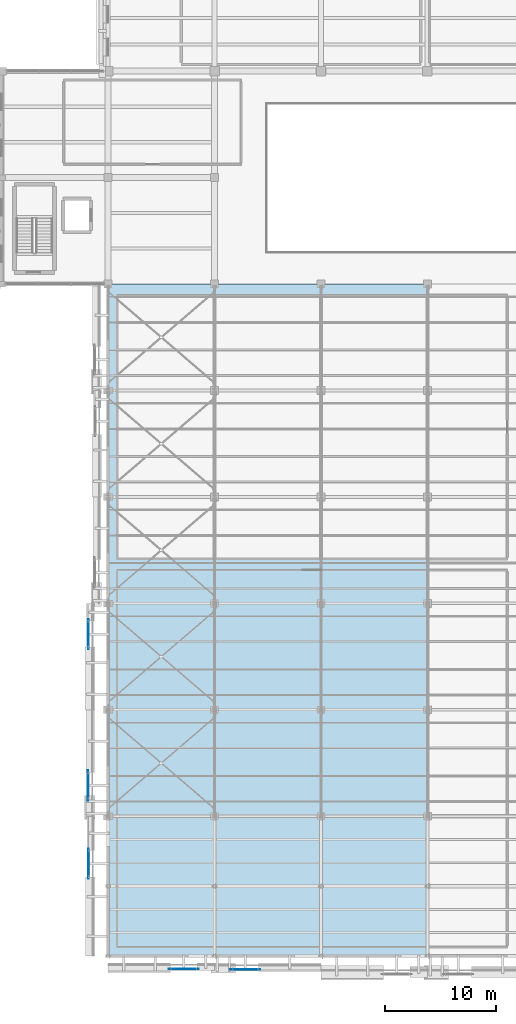
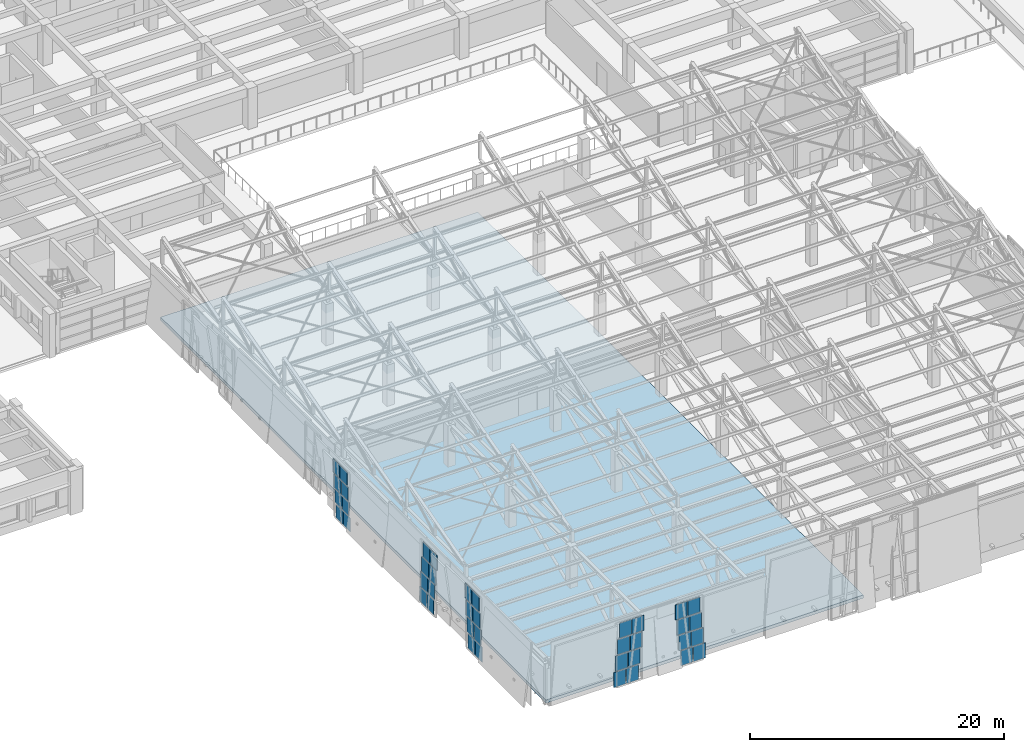
# One storey, part 33 of 71: 40 plates, 1 slab, 5 elements without a shape of their own.
"""IFC4 building model written with IfcOpenShell, lengths in metres."""

from ifc_helpers import new_model, si_unit, direction, frame, origin, origin_2d, place, context, subcontext, project, spatial, polyline, rectangle, outline, extrude, material, layer, layer_set, type_object, element, aggregate, save


model = new_model("IFC4")

# Units and contexts
model_context = context("Model", 3, precision=1e-05, world=origin(), true_north=direction((0.0, 1.0)))
body_context = subcontext(model_context, "Body", "Model", "MODEL_VIEW")
ifc_project = project(units=[si_unit("LENGTHUNIT", "METRE"), si_unit("AREAUNIT", "SQUARE_METRE"), si_unit("VOLUMEUNIT", "CUBIC_METRE"), si_unit("PLANEANGLEUNIT", "RADIAN"), si_unit("MASSUNIT", "GRAM", prefix="KILO")], contexts=[model_context])

# Site, building, storey
site_placement = place(None, origin())
site = spatial("IfcSite", under=ifc_project, at=site_placement, CompositionType="ELEMENT")
building_placement = place(site_placement, origin())
building = spatial("IfcBuilding", under=site, at=building_placement, Name="Bempovik Park Faculty of Sciences", CompositionType="ELEMENT")
storey_placement = place(building_placement, frame((0.0, 0.0, 14.10009765625)))
storey = spatial("IfcBuildingStorey", under=building, at=storey_placement, Name="L03", CompositionType="ELEMENT", Elevation=14.10009765625)

# Curtain wall, plates
ifc_material_1 = material(Name="Tempered laminated low-E glass", Category="glass")
ifc_layer_1 = layer(ifc_material_1, 0.159912109375)
ifc_layer_set_1 = layer_set([ifc_layer_1], Name="Tempered laminated low-E glass")
curtain_wall_type = type_object("IfcCurtainWallType", Name="CW-33 Curtain 2400x4000", PredefinedType="USERDEFINED", material=ifc_layer_set_1)
curtain_wall_1_placement = place(storey_placement, origin())
curtain_wall_1 = element("IfcCurtainWall", 1, at=curtain_wall_1_placement, inside=storey, type_object=curtain_wall_type, Name="L03 Crystal Slantwise Light Fold (7.2,60.0)", ObjectType="UNITISED CURTAIN WALL", PredefinedType="USERDEFINED")
ifc_layer_2 = layer(ifc_material_1, 0.035888671875)
ifc_layer_set_2 = layer_set([ifc_layer_2], Name="Tempered laminated low-E glass")
plate_type = type_object("IfcPlateType", Name="CP-22 Curtain Panel 36mm", PredefinedType="CURTAIN_PANEL", material=ifc_layer_set_2)
plate_1_placement = place(storey_placement, frame((65.9951171875, 6.01953125, 0.0), z_axis=(0.0, 0.0, 1.0), x_axis=(1.0, 0.0, 0.0)))
plate_1 = element("IfcPlate", 2, at=plate_1_placement, type_object=plate_type, Name="CW-FOLD-L03-72-600 Panel 0-0", PredefinedType="CURTAIN_PANEL", context=body_context, shape_type="SweptSolid", body=[
    extrude(rectangle(XDim=1.070068359375, YDim=0.035888671875, at=origin_2d()), origin(), (0.0, 0.0, 1.0), 1.4423828125),
])
plate_2_placement = place(storey_placement, frame((66.1650390625, 6.01953125, 1.5224609375), z_axis=(0.0, 0.0, 1.0), x_axis=(1.0, 0.0, 0.0)))
plate_2 = element("IfcPlate", 3, at=plate_2_placement, type_object=plate_type, Name="CW-FOLD-L03-72-600 Panel 0-1", PredefinedType="CURTAIN_PANEL", context=body_context, shape_type="SweptSolid", body=[
    extrude(rectangle(XDim=1.070068359375, YDim=0.035888671875, at=origin_2d()), origin(), (0.0, 0.0, 1.0), 1.4423828125),
])
plate_3_placement = place(storey_placement, frame((66.3349609375, 6.01953125, 3.044921875), z_axis=(0.0, 0.0, 1.0), x_axis=(1.0, 0.0, 0.0)))
plate_3 = element("IfcPlate", 4, at=plate_3_placement, type_object=plate_type, Name="CW-FOLD-L03-72-600 Panel 0-2", PredefinedType="CURTAIN_PANEL", context=body_context, shape_type="SweptSolid", body=[
    extrude(rectangle(XDim=1.070068359375, YDim=0.035888671875, at=origin_2d()), origin(), (0.0, 0.0, 1.0), 1.4423828125),
])
plate_4_placement = place(storey_placement, frame((66.5048828125, 6.01953125, 4.5673828125), z_axis=(0.0, 0.0, 1.0), x_axis=(1.0, 0.0, 0.0)))
plate_4 = element("IfcPlate", 5, at=plate_4_placement, type_object=plate_type, Name="CW-FOLD-L03-72-600 Panel 0-3", PredefinedType="CURTAIN_PANEL", context=body_context, shape_type="SweptSolid", body=[
    extrude(rectangle(XDim=1.070068359375, YDim=0.035888671875, at=origin_2d()), origin(), (0.0, 0.0, 1.0), 1.4423828125),
])
plate_5_placement = place(storey_placement, frame((67.14501953125, 6.01953125, 0.0), z_axis=(0.0, 0.0, 1.0), x_axis=(1.0, 0.0, 0.0)))
plate_5 = element("IfcPlate", 6, at=plate_5_placement, type_object=plate_type, Name="CW-FOLD-L03-72-600 Panel 1-0", PredefinedType="CURTAIN_PANEL", context=body_context, shape_type="SweptSolid", body=[
    extrude(rectangle(XDim=1.070068359375, YDim=0.035888671875, at=origin_2d()), origin(), (0.0, 0.0, 1.0), 1.4423828125),
])
plate_6_placement = place(storey_placement, frame((67.31494140625, 6.01953125, 1.5224609375), z_axis=(0.0, 0.0, 1.0), x_axis=(1.0, 0.0, 0.0)))
plate_6 = element("IfcPlate", 7, at=plate_6_placement, type_object=plate_type, Name="CW-FOLD-L03-72-600 Panel 1-1", PredefinedType="CURTAIN_PANEL", context=body_context, shape_type="SweptSolid", body=[
    extrude(rectangle(XDim=1.070068359375, YDim=0.035888671875, at=origin_2d()), origin(), (0.0, 0.0, 1.0), 1.4423828125),
])
plate_7_placement = place(storey_placement, frame((67.485107421875, 6.01953125, 3.044921875), z_axis=(0.0, 0.0, 1.0), x_axis=(1.0, 0.0, 0.0)))
plate_7 = element("IfcPlate", 8, at=plate_7_placement, type_object=plate_type, Name="CW-FOLD-L03-72-600 Panel 1-2", PredefinedType="CURTAIN_PANEL", context=body_context, shape_type="SweptSolid", body=[
    extrude(rectangle(XDim=1.070068359375, YDim=0.035888671875, at=origin_2d()), origin(), (0.0, 0.0, 1.0), 1.4423828125),
])
plate_8_placement = place(storey_placement, frame((67.655029296875, 6.01953125, 4.5673828125), z_axis=(0.0, 0.0, 1.0), x_axis=(1.0, 0.0, 0.0)))
plate_8 = element("IfcPlate", 9, at=plate_8_placement, type_object=plate_type, Name="CW-FOLD-L03-72-600 Panel 1-3", PredefinedType="CURTAIN_PANEL", context=body_context, shape_type="SweptSolid", body=[
    extrude(rectangle(XDim=1.070068359375, YDim=0.035888671875, at=origin_2d()), origin(), (0.0, 0.0, 1.0), 1.4423828125),
])
aggregate(curtain_wall_1, [plate_1, plate_2, plate_3, plate_4, plate_5, plate_6, plate_7, plate_8])

curtain_wall_2_placement = place(storey_placement, origin())
curtain_wall_2 = element("IfcCurtainWall", 10, at=curtain_wall_2_placement, inside=storey, type_object=curtain_wall_type, Name="L03 Crystal Slantwise Light Fold (7.2,69.6)", ObjectType="UNITISED CURTAIN WALL", PredefinedType="USERDEFINED")
plate_9_placement = place(storey_placement, frame((72.054931640625, 5.977294921875, 0.0), z_axis=(0.0, 0.0, 1.0), x_axis=(1.0, 0.0, 0.0)))
plate_9 = element("IfcPlate", 11, at=plate_9_placement, type_object=plate_type, Name="CW-FOLD-L03-72-696 Panel 0-0", PredefinedType="CURTAIN_PANEL", context=body_context, shape_type="SweptSolid", body=[
    extrude(rectangle(XDim=1.070068359375, YDim=0.035888671875, at=origin_2d()), origin(), (0.0, 0.0, 1.0), 1.4423828125),
])
plate_10_placement = place(storey_placement, frame((71.885009765625, 5.977294921875, 1.5224609375), z_axis=(0.0, 0.0, 1.0), x_axis=(1.0, 0.0, 0.0)))
plate_10 = element("IfcPlate", 12, at=plate_10_placement, type_object=plate_type, Name="CW-FOLD-L03-72-696 Panel 0-1", PredefinedType="CURTAIN_PANEL", context=body_context, shape_type="SweptSolid", body=[
    extrude(rectangle(XDim=1.070068359375, YDim=0.035888671875, at=origin_2d()), origin(), (0.0, 0.0, 1.0), 1.4423828125),
])
plate_11_placement = place(storey_placement, frame((71.715087890625, 5.977294921875, 3.044921875), z_axis=(0.0, 0.0, 1.0), x_axis=(1.0, 0.0, 0.0)))
plate_11 = element("IfcPlate", 13, at=plate_11_placement, type_object=plate_type, Name="CW-FOLD-L03-72-696 Panel 0-2", PredefinedType="CURTAIN_PANEL", context=body_context, shape_type="SweptSolid", body=[
    extrude(rectangle(XDim=1.070068359375, YDim=0.035888671875, at=origin_2d()), origin(), (0.0, 0.0, 1.0), 1.4423828125),
])
plate_12_placement = place(storey_placement, frame((71.544921875, 5.977294921875, 4.5673828125), z_axis=(0.0, 0.0, 1.0), x_axis=(1.0, 0.0, 0.0)))
plate_12 = element("IfcPlate", 14, at=plate_12_placement, type_object=plate_type, Name="CW-FOLD-L03-72-696 Panel 0-3", PredefinedType="CURTAIN_PANEL", context=body_context, shape_type="SweptSolid", body=[
    extrude(rectangle(XDim=1.070068359375, YDim=0.035888671875, at=origin_2d()), origin(), (0.0, 0.0, 1.0), 1.4423828125),
])
plate_13_placement = place(storey_placement, frame((73.205078125, 5.977294921875, 0.0), z_axis=(0.0, 0.0, 1.0), x_axis=(1.0, 0.0, 0.0)))
plate_13 = element("IfcPlate", 15, at=plate_13_placement, type_object=plate_type, Name="CW-FOLD-L03-72-696 Panel 1-0", PredefinedType="CURTAIN_PANEL", context=body_context, shape_type="SweptSolid", body=[
    extrude(rectangle(XDim=1.070068359375, YDim=0.035888671875, at=origin_2d()), origin(), (0.0, 0.0, 1.0), 1.4423828125),
])
plate_14_placement = place(storey_placement, frame((73.034912109375, 5.977294921875, 1.5224609375), z_axis=(0.0, 0.0, 1.0), x_axis=(1.0, 0.0, 0.0)))
plate_14 = element("IfcPlate", 16, at=plate_14_placement, type_object=plate_type, Name="CW-FOLD-L03-72-696 Panel 1-1", PredefinedType="CURTAIN_PANEL", context=body_context, shape_type="SweptSolid", body=[
    extrude(rectangle(XDim=1.070068359375, YDim=0.035888671875, at=origin_2d()), origin(), (0.0, 0.0, 1.0), 1.4423828125),
])
plate_15_placement = place(storey_placement, frame((72.864990234375, 5.977294921875, 3.044921875), z_axis=(0.0, 0.0, 1.0), x_axis=(1.0, 0.0, 0.0)))
plate_15 = element("IfcPlate", 17, at=plate_15_placement, type_object=plate_type, Name="CW-FOLD-L03-72-696 Panel 1-2", PredefinedType="CURTAIN_PANEL", context=body_context, shape_type="SweptSolid", body=[
    extrude(rectangle(XDim=1.070068359375, YDim=0.035888671875, at=origin_2d()), origin(), (0.0, 0.0, 1.0), 1.4423828125),
])
plate_16_placement = place(storey_placement, frame((72.695068359375, 5.977294921875, 4.5673828125), z_axis=(0.0, 0.0, 1.0), x_axis=(1.0, 0.0, 0.0)))
plate_16 = element("IfcPlate", 18, at=plate_16_placement, type_object=plate_type, Name="CW-FOLD-L03-72-696 Panel 1-3", PredefinedType="CURTAIN_PANEL", context=body_context, shape_type="SweptSolid", body=[
    extrude(rectangle(XDim=1.070068359375, YDim=0.035888671875, at=origin_2d()), origin(), (0.0, 0.0, 1.0), 1.4423828125),
])
aggregate(curtain_wall_2, [plate_9, plate_10, plate_11, plate_12, plate_13, plate_14, plate_15, plate_16])

curtain_wall_3_placement = place(storey_placement, origin())
curtain_wall_3 = element("IfcCurtainWall", 19, at=curtain_wall_3_placement, inside=storey, type_object=curtain_wall_type, Name="L03 Crystal Slantwise Light Fold (60.0,7.2)", ObjectType="UNITISED CURTAIN WALL", PredefinedType="USERDEFINED")
plate_17_placement = place(storey_placement, frame((58.239501953125, 14.695068359375, 0.0), z_axis=(0.0, 0.0, 1.0), x_axis=(0.0, 1.0, 0.0)))
plate_17 = element("IfcPlate", 20, at=plate_17_placement, type_object=plate_type, Name="CW-FOLD-L03-600-72 Panel 0-0", PredefinedType="CURTAIN_PANEL", context=body_context, shape_type="SweptSolid", body=[
    extrude(rectangle(XDim=1.070068359375, YDim=0.035888671875, at=origin_2d()), origin(), (0.0, 0.0, 1.0), 1.4423828125),
])
plate_18_placement = place(storey_placement, frame((58.239501953125, 14.864990234375, 1.5224609375), z_axis=(0.0, 0.0, 1.0), x_axis=(0.0, 1.0, 0.0)))
plate_18 = element("IfcPlate", 21, at=plate_18_placement, type_object=plate_type, Name="CW-FOLD-L03-600-72 Panel 0-1", PredefinedType="CURTAIN_PANEL", context=body_context, shape_type="SweptSolid", body=[
    extrude(rectangle(XDim=1.070068359375, YDim=0.035888671875, at=origin_2d()), origin(), (0.0, 0.0, 1.0), 1.4423828125),
])
plate_19_placement = place(storey_placement, frame((58.239501953125, 15.034912109375, 3.044921875), z_axis=(0.0, 0.0, 1.0), x_axis=(0.0, 1.0, 0.0)))
plate_19 = element("IfcPlate", 22, at=plate_19_placement, type_object=plate_type, Name="CW-FOLD-L03-600-72 Panel 0-2", PredefinedType="CURTAIN_PANEL", context=body_context, shape_type="SweptSolid", body=[
    extrude(rectangle(XDim=1.070068359375, YDim=0.035888671875, at=origin_2d()), origin(), (0.0, 0.0, 1.0), 1.4423828125),
])
plate_20_placement = place(storey_placement, frame((58.239501953125, 15.205078125, 4.5673828125), z_axis=(0.0, 0.0, 1.0), x_axis=(0.0, 1.0, 0.0)))
plate_20 = element("IfcPlate", 23, at=plate_20_placement, type_object=plate_type, Name="CW-FOLD-L03-600-72 Panel 0-3", PredefinedType="CURTAIN_PANEL", context=body_context, shape_type="SweptSolid", body=[
    extrude(rectangle(XDim=1.070068359375, YDim=0.035888671875, at=origin_2d()), origin(), (0.0, 0.0, 1.0), 1.4423828125),
])
plate_21_placement = place(storey_placement, frame((58.239501953125, 15.844970703125, 0.0), z_axis=(0.0, 0.0, 1.0), x_axis=(0.0, 1.0, 0.0)))
plate_21 = element("IfcPlate", 24, at=plate_21_placement, type_object=plate_type, Name="CW-FOLD-L03-600-72 Panel 1-0", PredefinedType="CURTAIN_PANEL", context=body_context, shape_type="SweptSolid", body=[
    extrude(rectangle(XDim=1.070068359375, YDim=0.035888671875, at=origin_2d()), origin(), (0.0, 0.0, 1.0), 1.4423828125),
])
plate_22_placement = place(storey_placement, frame((58.239501953125, 16.014892578125, 1.5224609375), z_axis=(0.0, 0.0, 1.0), x_axis=(0.0, 1.0, 0.0)))
plate_22 = element("IfcPlate", 25, at=plate_22_placement, type_object=plate_type, Name="CW-FOLD-L03-600-72 Panel 1-1", PredefinedType="CURTAIN_PANEL", context=body_context, shape_type="SweptSolid", body=[
    extrude(rectangle(XDim=1.070068359375, YDim=0.035888671875, at=origin_2d()), origin(), (0.0, 0.0, 1.0), 1.4423828125),
])
plate_23_placement = place(storey_placement, frame((58.239501953125, 16.18505859375, 3.044921875), z_axis=(0.0, 0.0, 1.0), x_axis=(0.0, 1.0, 0.0)))
plate_23 = element("IfcPlate", 26, at=plate_23_placement, type_object=plate_type, Name="CW-FOLD-L03-600-72 Panel 1-2", PredefinedType="CURTAIN_PANEL", context=body_context, shape_type="SweptSolid", body=[
    extrude(rectangle(XDim=1.070068359375, YDim=0.035888671875, at=origin_2d()), origin(), (0.0, 0.0, 1.0), 1.4423828125),
])
plate_24_placement = place(storey_placement, frame((58.239501953125, 16.35498046875, 4.5673828125), z_axis=(0.0, 0.0, 1.0), x_axis=(0.0, 1.0, 0.0)))
plate_24 = element("IfcPlate", 27, at=plate_24_placement, type_object=plate_type, Name="CW-FOLD-L03-600-72 Panel 1-3", PredefinedType="CURTAIN_PANEL", context=body_context, shape_type="SweptSolid", body=[
    extrude(rectangle(XDim=1.070068359375, YDim=0.035888671875, at=origin_2d()), origin(), (0.0, 0.0, 1.0), 1.4423828125),
])
aggregate(curtain_wall_3, [plate_17, plate_18, plate_19, plate_20, plate_21, plate_22, plate_23, plate_24])

curtain_wall_4_placement = place(storey_placement, origin())
curtain_wall_4 = element("IfcCurtainWall", 28, at=curtain_wall_4_placement, inside=storey, type_object=curtain_wall_type, Name="L03 Crystal Slantwise Light Fold (60.0,19.8)", ObjectType="UNITISED CURTAIN WALL", PredefinedType="USERDEFINED")
plate_25_placement = place(storey_placement, frame((58.197265625, 22.2548828125, 0.0), z_axis=(0.0, 0.0, 1.0), x_axis=(0.0, 1.0, 0.0)))
plate_25 = element("IfcPlate", 29, at=plate_25_placement, type_object=plate_type, Name="CW-FOLD-L03-600-198 Panel 0-0", PredefinedType="CURTAIN_PANEL", context=body_context, shape_type="SweptSolid", body=[
    extrude(rectangle(XDim=1.070068359375, YDim=0.035888671875, at=origin_2d()), origin(), (0.0, 0.0, 1.0), 1.4423828125),
])
plate_26_placement = place(storey_placement, frame((58.197265625, 22.0849609375, 1.5224609375), z_axis=(0.0, 0.0, 1.0), x_axis=(0.0, 1.0, 0.0)))
plate_26 = element("IfcPlate", 30, at=plate_26_placement, type_object=plate_type, Name="CW-FOLD-L03-600-198 Panel 0-1", PredefinedType="CURTAIN_PANEL", context=body_context, shape_type="SweptSolid", body=[
    extrude(rectangle(XDim=1.070068359375, YDim=0.035888671875, at=origin_2d()), origin(), (0.0, 0.0, 1.0), 1.4423828125),
])
plate_27_placement = place(storey_placement, frame((58.197265625, 21.9150390625, 3.044921875), z_axis=(0.0, 0.0, 1.0), x_axis=(0.0, 1.0, 0.0)))
plate_27 = element("IfcPlate", 31, at=plate_27_placement, type_object=plate_type, Name="CW-FOLD-L03-600-198 Panel 0-2", PredefinedType="CURTAIN_PANEL", context=body_context, shape_type="SweptSolid", body=[
    extrude(rectangle(XDim=1.070068359375, YDim=0.035888671875, at=origin_2d()), origin(), (0.0, 0.0, 1.0), 1.4423828125),
])
plate_28_placement = place(storey_placement, frame((58.197265625, 21.7451171875, 4.5673828125), z_axis=(0.0, 0.0, 1.0), x_axis=(0.0, 1.0, 0.0)))
plate_28 = element("IfcPlate", 32, at=plate_28_placement, type_object=plate_type, Name="CW-FOLD-L03-600-198 Panel 0-3", PredefinedType="CURTAIN_PANEL", context=body_context, shape_type="SweptSolid", body=[
    extrude(rectangle(XDim=1.070068359375, YDim=0.035888671875, at=origin_2d()), origin(), (0.0, 0.0, 1.0), 1.4423828125),
])
plate_29_placement = place(storey_placement, frame((58.197265625, 23.405029296875, 0.0), z_axis=(0.0, 0.0, 1.0), x_axis=(0.0, 1.0, 0.0)))
plate_29 = element("IfcPlate", 33, at=plate_29_placement, type_object=plate_type, Name="CW-FOLD-L03-600-198 Panel 1-0", PredefinedType="CURTAIN_PANEL", context=body_context, shape_type="SweptSolid", body=[
    extrude(rectangle(XDim=1.070068359375, YDim=0.035888671875, at=origin_2d()), origin(), (0.0, 0.0, 1.0), 1.4423828125),
])
plate_30_placement = place(storey_placement, frame((58.197265625, 23.235107421875, 1.5224609375), z_axis=(0.0, 0.0, 1.0), x_axis=(0.0, 1.0, 0.0)))
plate_30 = element("IfcPlate", 34, at=plate_30_placement, type_object=plate_type, Name="CW-FOLD-L03-600-198 Panel 1-1", PredefinedType="CURTAIN_PANEL", context=body_context, shape_type="SweptSolid", body=[
    extrude(rectangle(XDim=1.070068359375, YDim=0.035888671875, at=origin_2d()), origin(), (0.0, 0.0, 1.0), 1.4423828125),
])
plate_31_placement = place(storey_placement, frame((58.197265625, 23.06494140625, 3.044921875), z_axis=(0.0, 0.0, 1.0), x_axis=(0.0, 1.0, 0.0)))
plate_31 = element("IfcPlate", 35, at=plate_31_placement, type_object=plate_type, Name="CW-FOLD-L03-600-198 Panel 1-2", PredefinedType="CURTAIN_PANEL", context=body_context, shape_type="SweptSolid", body=[
    extrude(rectangle(XDim=1.070068359375, YDim=0.035888671875, at=origin_2d()), origin(), (0.0, 0.0, 1.0), 1.4423828125),
])
plate_32_placement = place(storey_placement, frame((58.197265625, 22.89501953125, 4.5673828125), z_axis=(0.0, 0.0, 1.0), x_axis=(0.0, 1.0, 0.0)))
plate_32 = element("IfcPlate", 36, at=plate_32_placement, type_object=plate_type, Name="CW-FOLD-L03-600-198 Panel 1-3", PredefinedType="CURTAIN_PANEL", context=body_context, shape_type="SweptSolid", body=[
    extrude(rectangle(XDim=1.070068359375, YDim=0.035888671875, at=origin_2d()), origin(), (0.0, 0.0, 1.0), 1.4423828125),
])
aggregate(curtain_wall_4, [plate_25, plate_26, plate_27, plate_28, plate_29, plate_30, plate_31, plate_32])

curtain_wall_5_placement = place(storey_placement, origin())
curtain_wall_5 = element("IfcCurtainWall", 37, at=curtain_wall_5_placement, inside=storey, type_object=curtain_wall_type, Name="L03 Crystal Slantwise Light Fold (60.0,29.4)", ObjectType="UNITISED CURTAIN WALL", PredefinedType="USERDEFINED")
plate_33_placement = place(storey_placement, frame((58.218017578125, 35.39501953125, -0.000244140625), z_axis=(0.0, 0.0, 1.0), x_axis=(0.0, 1.0, 0.0)))
plate_33 = element("IfcPlate", 38, at=plate_33_placement, type_object=plate_type, Name="CW-FOLD-L03-600-294 Panel 0-0", PredefinedType="CURTAIN_PANEL", context=body_context, shape_type="SweptSolid", body=[
    extrude(rectangle(XDim=1.070068359375, YDim=0.035888671875, at=origin_2d()), origin(), (0.0, 0.0, 1.0), 1.29248046875),
])
plate_34_placement = place(storey_placement, frame((58.218017578125, 35.56494140625, 1.372314453125), z_axis=(0.0, 0.0, 1.0), x_axis=(0.0, 1.0, 0.0)))
plate_34 = element("IfcPlate", 39, at=plate_34_placement, type_object=plate_type, Name="CW-FOLD-L03-600-294 Panel 0-1", PredefinedType="CURTAIN_PANEL", context=body_context, shape_type="SweptSolid", body=[
    extrude(rectangle(XDim=1.070068359375, YDim=0.035888671875, at=origin_2d()), origin(), (0.0, 0.0, 1.0), 1.29248046875),
])
plate_35_placement = place(storey_placement, frame((58.218017578125, 35.735107421875, 2.744873046875), z_axis=(0.0, 0.0, 1.0), x_axis=(0.0, 1.0, 0.0)))
plate_35 = element("IfcPlate", 40, at=plate_35_placement, type_object=plate_type, Name="CW-FOLD-L03-600-294 Panel 0-2", PredefinedType="CURTAIN_PANEL", context=body_context, shape_type="SweptSolid", body=[
    extrude(rectangle(XDim=1.070068359375, YDim=0.035888671875, at=origin_2d()), origin(), (0.0, 0.0, 1.0), 1.29248046875),
])
plate_36_placement = place(storey_placement, frame((58.218017578125, 35.905029296875, 4.117431640625), z_axis=(0.0, 0.0, 1.0), x_axis=(0.0, 1.0, 0.0)))
plate_36 = element("IfcPlate", 41, at=plate_36_placement, type_object=plate_type, Name="CW-FOLD-L03-600-294 Panel 0-3", PredefinedType="CURTAIN_PANEL", context=body_context, shape_type="SweptSolid", body=[
    extrude(rectangle(XDim=1.070068359375, YDim=0.035888671875, at=origin_2d()), origin(), (0.0, 0.0, 1.0), 1.29248046875),
])
plate_37_placement = place(storey_placement, frame((58.218017578125, 36.544921875, -0.000244140625), z_axis=(0.0, 0.0, 1.0), x_axis=(0.0, 1.0, 0.0)))
plate_37 = element("IfcPlate", 42, at=plate_37_placement, type_object=plate_type, Name="CW-FOLD-L03-600-294 Panel 1-0", PredefinedType="CURTAIN_PANEL", context=body_context, shape_type="SweptSolid", body=[
    extrude(rectangle(XDim=1.070068359375, YDim=0.035888671875, at=origin_2d()), origin(), (0.0, 0.0, 1.0), 1.29248046875),
])
plate_38_placement = place(storey_placement, frame((58.218017578125, 36.715087890625, 1.372314453125), z_axis=(0.0, 0.0, 1.0), x_axis=(0.0, 1.0, 0.0)))
plate_38 = element("IfcPlate", 43, at=plate_38_placement, type_object=plate_type, Name="CW-FOLD-L03-600-294 Panel 1-1", PredefinedType="CURTAIN_PANEL", context=body_context, shape_type="SweptSolid", body=[
    extrude(rectangle(XDim=1.070068359375, YDim=0.035888671875, at=origin_2d()), origin(), (0.0, 0.0, 1.0), 1.29248046875),
])
plate_39_placement = place(storey_placement, frame((58.218017578125, 36.885009765625, 2.744873046875), z_axis=(0.0, 0.0, 1.0), x_axis=(0.0, 1.0, 0.0)))
plate_39 = element("IfcPlate", 44, at=plate_39_placement, type_object=plate_type, Name="CW-FOLD-L03-600-294 Panel 1-2", PredefinedType="CURTAIN_PANEL", context=body_context, shape_type="SweptSolid", body=[
    extrude(rectangle(XDim=1.070068359375, YDim=0.035888671875, at=origin_2d()), origin(), (0.0, 0.0, 1.0), 1.29248046875),
])
plate_40_placement = place(storey_placement, frame((58.218017578125, 37.054931640625, 4.117431640625), z_axis=(0.0, 0.0, 1.0), x_axis=(0.0, 1.0, 0.0)))
plate_40 = element("IfcPlate", 45, at=plate_40_placement, type_object=plate_type, Name="CW-FOLD-L03-600-294 Panel 1-3", PredefinedType="CURTAIN_PANEL", context=body_context, shape_type="SweptSolid", body=[
    extrude(rectangle(XDim=1.070068359375, YDim=0.035888671875, at=origin_2d()), origin(), (0.0, 0.0, 1.0), 1.29248046875),
])
aggregate(curtain_wall_5, [plate_33, plate_34, plate_35, plate_36, plate_37, plate_38, plate_39, plate_40])

# Slab
ifc_material_2 = material(Name="Concrete C40/50", Category="concrete")
ifc_layer_3 = layer(ifc_material_2, 0.320068359375)
ifc_layer_set_3 = layer_set([ifc_layer_3], Name="Concrete C40/50")
slab_type = type_object("IfcSlabType", Name="S-35 Slab 320mm", PredefinedType="FLOOR", material=ifc_layer_set_3)
slab_placement = place(storey_placement, frame((0.0, 0.0, -0.300048828125)))
element("IfcSlab", 46, at=slab_placement, inside=storey, type_object=slab_type, Name="L03 Crystal Commons Mass Floor Slab (W)", PredefinedType="FLOOR", context=body_context, shape_type="SweptSolid", body=[
    extrude(outline(polyline([(60.0, 7.199951171875), (88.800048828125, 7.199951171875), (88.800048828125, 67.800048828125), (60.0, 67.800048828125), (60.0, 7.199951171875)])), origin(), (0.0, 0.0, 1.0), 0.300048828125),
])

save(model, "model.ifc")
